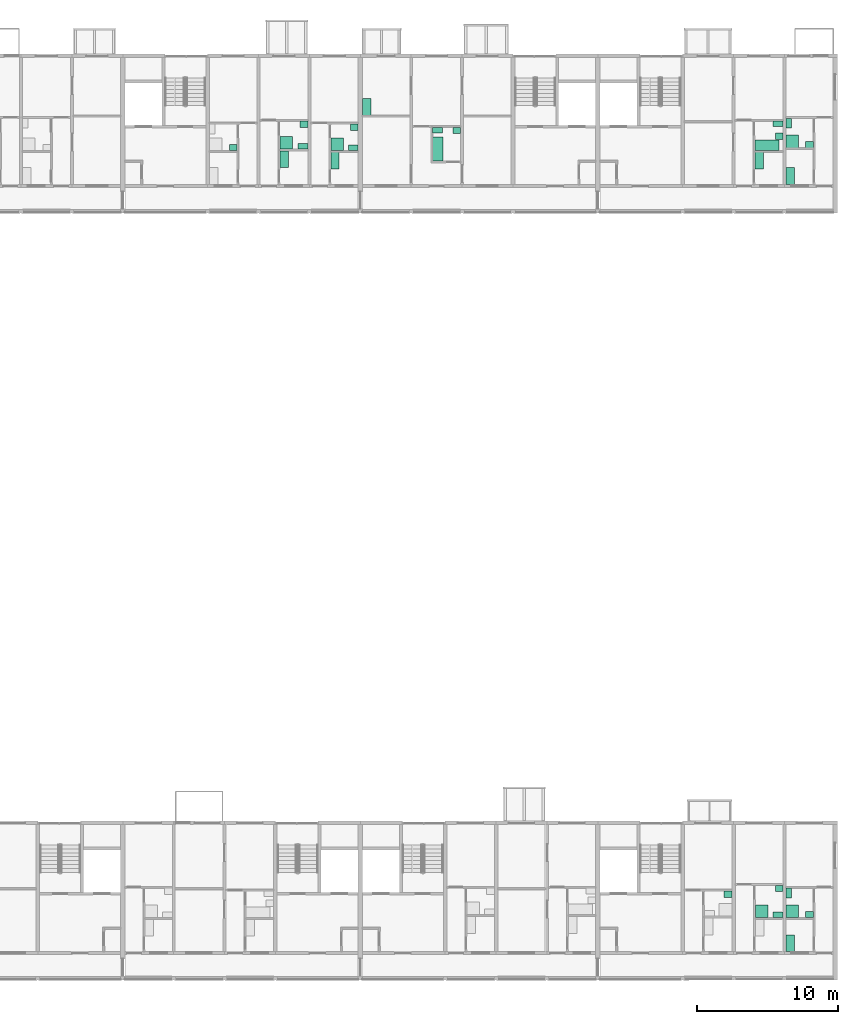
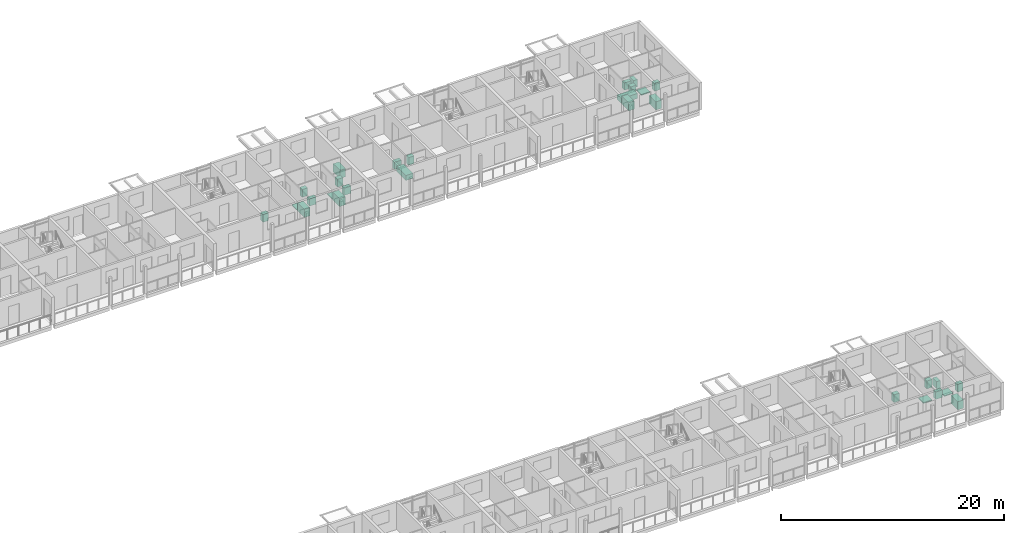
# One storey, part 99 of 99: 29 sanitary terminals.
"""IFC4 building model written with IfcOpenShell, lengths in metres."""

from ifc_helpers import new_model, si_unit, direction, frame, origin, origin_2d, place, context, subcontext, project, spatial, rectangle, extrude, element, save


model = new_model("IFC4")

# Units and contexts
model_context = context("Model", 3, precision=1e-05, world=origin(), true_north=direction((0.0, 1.0)))
body_context = subcontext(model_context, "Body", "Model", "MODEL_VIEW")
ifc_project = project(units=[si_unit("LENGTHUNIT", "METRE"), si_unit("AREAUNIT", "SQUARE_METRE"), si_unit("VOLUMEUNIT", "CUBIC_METRE"), si_unit("PLANEANGLEUNIT", "RADIAN"), si_unit("MASSUNIT", "GRAM", prefix="KILO")], contexts=[model_context])

# Site, building, storey
site_placement = place(None, origin())
site = spatial("IfcSite", under=ifc_project, at=site_placement, CompositionType="ELEMENT")
building_placement = place(site_placement, origin())
building = spatial("IfcBuilding", under=site, at=building_placement, Name="Ridgestep Commons", CompositionType="ELEMENT")
storey_placement = place(building_placement, frame((0.0, 0.0, 15.0)))
storey = spatial("IfcBuildingStorey", under=building, at=storey_placement, Name="L05", CompositionType="ELEMENT", Elevation=15.0)

# Sanitary terminals
sanitary_terminal_1_placement = place(storey_placement, frame((212.360107421875, 70.860107421875, 0.0), z_axis=(0.0, 0.0, 1.0), x_axis=(1.0, 0.0, 0.0)))
element("IfcSanitaryTerminal", 1, at=sanitary_terminal_1_placement, inside=storey, Name="Shower tray C4-05a", PredefinedType="SHOWER", context=body_context, shape_type="SweptSolid", body=[
    extrude(rectangle(XDim=0.89990234375, YDim=0.89990234375, at=origin_2d()), origin(), (0.0, 0.0, 1.0), 0.10009765625),
])
sanitary_terminal_2_placement = place(storey_placement, frame((213.5, 70.610107421875, 0.0), z_axis=(0.0, 0.0, 1.0), x_axis=(1.0, 0.0, 0.0)))
element("IfcSanitaryTerminal", 2, at=sanitary_terminal_2_placement, inside=storey, Name="WC C4-05a", PredefinedType="TOILETPAN", context=body_context, shape_type="SweptSolid", body=[
    extrude(rectangle(XDim=0.699951171875, YDim=0.39990234375, at=origin_2d()), origin(), (0.0, 0.0, 1.0), 0.800048828125),
])
sanitary_terminal_3_placement = place(storey_placement, frame((213.574951171875, 72.074951171875, 0.0), z_axis=(0.0, 0.0, 1.0), x_axis=(1.0, 0.0, 0.0)))
element("IfcSanitaryTerminal", 3, at=sanitary_terminal_3_placement, inside=storey, Name="Basin C4-05a", PredefinedType="WASHHANDBASIN", context=body_context, shape_type="SweptSolid", body=[
    extrude(rectangle(XDim=0.550048828125, YDim=0.449951171875, at=origin_2d()), origin(), (0.0, 0.0, 1.0), 0.85009765625),
])
sanitary_terminal_4_placement = place(storey_placement, frame((212.2099609375, 69.699951171875, 0.0), z_axis=(0.0, 0.0, 1.0), x_axis=(1.0, 0.0, 0.0)))
element("IfcSanitaryTerminal", 4, at=sanitary_terminal_4_placement, inside=storey, Name="Kitchen sink C4-05a", PredefinedType="SINK", context=body_context, shape_type="SweptSolid", body=[
    extrude(rectangle(XDim=0.60009765625, YDim=1.199951171875, at=origin_2d()), origin(), (0.0, 0.0, 1.0), 0.89990234375),
])
sanitary_terminal_5_placement = place(storey_placement, frame((208.760009765625, 70.9599609375, 0.0), z_axis=(0.0, 0.0, 1.0), x_axis=(1.0, 0.0, 0.0)))
element("IfcSanitaryTerminal", 5, at=sanitary_terminal_5_placement, inside=storey, Name="Shower tray C4-05b", PredefinedType="SHOWER", context=body_context, shape_type="SweptSolid", body=[
    extrude(rectangle(XDim=0.89990234375, YDim=0.89990234375, at=origin_2d()), origin(), (0.0, 0.0, 1.0), 0.10009765625),
])
sanitary_terminal_6_placement = place(storey_placement, frame((209.949951171875, 70.7099609375, 0.0), z_axis=(0.0, 0.0, 1.0), x_axis=(1.0, 0.0, 0.0)))
element("IfcSanitaryTerminal", 6, at=sanitary_terminal_6_placement, inside=storey, Name="WC C4-05b", PredefinedType="TOILETPAN", context=body_context, shape_type="SweptSolid", body=[
    extrude(rectangle(XDim=0.699951171875, YDim=0.39990234375, at=origin_2d()), origin(), (0.0, 0.0, 1.0), 0.800048828125),
])
sanitary_terminal_7_placement = place(storey_placement, frame((210.02490234375, 72.27490234375, 0.0), z_axis=(0.0, 0.0, 1.0), x_axis=(1.0, 0.0, 0.0)))
element("IfcSanitaryTerminal", 7, at=sanitary_terminal_7_placement, inside=storey, Name="Basin C4-05b", PredefinedType="WASHHANDBASIN", context=body_context, shape_type="SweptSolid", body=[
    extrude(rectangle(XDim=0.550048828125, YDim=0.449951171875, at=origin_2d()), origin(), (0.0, 0.0, 1.0), 0.85009765625),
])
sanitary_terminal_8_placement = place(storey_placement, frame((208.610107421875, 69.800048828125, 0.0), z_axis=(0.0, 0.0, 1.0), x_axis=(1.0, 0.0, 0.0)))
element("IfcSanitaryTerminal", 8, at=sanitary_terminal_8_placement, inside=storey, Name="Kitchen sink C4-05b", PredefinedType="SINK", context=body_context, shape_type="SweptSolid", body=[
    extrude(rectangle(XDim=0.60009765625, YDim=1.199951171875, at=origin_2d()), origin(), (0.0, 0.0, 1.0), 0.89990234375),
])
sanitary_terminal_9_placement = place(storey_placement, frame((205.014892578125, 70.635009765625, 0.0), z_axis=(0.0, 0.0, 1.0), x_axis=(1.0, 0.0, 0.0)))
element("IfcSanitaryTerminal", 9, at=sanitary_terminal_9_placement, inside=storey, Name="Basin C4-05c", PredefinedType="WASHHANDBASIN", context=body_context, shape_type="SweptSolid", body=[
    extrude(rectangle(XDim=0.550048828125, YDim=0.449951171875, at=origin_2d()), origin(), (0.0, 0.0, 1.0), 0.85009765625),
])
sanitary_terminal_10_placement = place(storey_placement, frame((219.485107421875, 70.510009765625, 0.0), z_axis=(0.0, 0.0, 1.0), x_axis=(1.0, 0.0, 0.0)))
element("IfcSanitaryTerminal", 10, at=sanitary_terminal_10_placement, inside=storey, Name="Bath C5-05a", PredefinedType="BATH", context=body_context, shape_type="SweptSolid", body=[
    extrude(rectangle(XDim=0.75, YDim=1.699951171875, at=origin_2d()), origin(), (0.0, 0.0, 1.0), 0.550048828125),
])
sanitary_terminal_11_placement = place(storey_placement, frame((219.4599609375, 71.860107421875, 0.0), z_axis=(0.0, 0.0, 1.0), x_axis=(1.0, 0.0, 0.0)))
element("IfcSanitaryTerminal", 11, at=sanitary_terminal_11_placement, inside=storey, Name="WC C5-05a", PredefinedType="TOILETPAN", context=body_context, shape_type="SweptSolid", body=[
    extrude(rectangle(XDim=0.699951171875, YDim=0.39990234375, at=origin_2d()), origin(), (0.0, 0.0, 1.0), 0.800048828125),
])
sanitary_terminal_12_placement = place(storey_placement, frame((220.824951171875, 71.8349609375, 0.0), z_axis=(0.0, 0.0, 1.0), x_axis=(1.0, 0.0, 0.0)))
element("IfcSanitaryTerminal", 12, at=sanitary_terminal_12_placement, inside=storey, Name="Basin C5-05a", PredefinedType="WASHHANDBASIN", context=body_context, shape_type="SweptSolid", body=[
    extrude(rectangle(XDim=0.550048828125, YDim=0.449951171875, at=origin_2d()), origin(), (0.0, 0.0, 1.0), 0.85009765625),
])
sanitary_terminal_13_placement = place(storey_placement, frame((214.449951171875, 73.510009765625, 0.0), z_axis=(0.0, 0.0, 1.0), x_axis=(1.0, 0.0, 0.0)))
element("IfcSanitaryTerminal", 13, at=sanitary_terminal_13_placement, inside=storey, Name="Kitchen sink C5-05a", PredefinedType="SINK", context=body_context, shape_type="SweptSolid", body=[
    extrude(rectangle(XDim=0.60009765625, YDim=1.199951171875, at=origin_2d()), origin(), (0.0, 0.0, 1.0), 0.89990234375),
])
sanitary_terminal_14_placement = place(storey_placement, frame((244.550048828125, 71.06005859375, 0.0), z_axis=(0.0, 0.0, 1.0), x_axis=(1.0, 0.0, 0.0)))
element("IfcSanitaryTerminal", 14, at=sanitary_terminal_14_placement, inside=storey, Name="Shower tray C6-05a", PredefinedType="SHOWER", context=body_context, shape_type="SweptSolid", body=[
    extrude(rectangle(XDim=0.89990234375, YDim=0.89990234375, at=origin_2d()), origin(), (0.0, 0.0, 1.0), 0.10009765625),
])
sanitary_terminal_15_placement = place(storey_placement, frame((244.300048828125, 72.35009765625, 0.0), z_axis=(0.0, 0.0, 1.0), x_axis=(1.0, 0.0, 0.0)))
element("IfcSanitaryTerminal", 15, at=sanitary_terminal_15_placement, inside=storey, Name="WC C6-05a", PredefinedType="TOILETPAN", context=body_context, shape_type="SweptSolid", body=[
    extrude(rectangle(XDim=0.39990234375, YDim=0.699951171875, at=origin_2d()), origin(), (0.0, 0.0, 1.0), 0.800048828125),
])
sanitary_terminal_16_placement = place(storey_placement, frame((245.764892578125, 70.8349609375, 0.0), z_axis=(0.0, 0.0, 1.0), x_axis=(1.0, 0.0, 0.0)))
element("IfcSanitaryTerminal", 16, at=sanitary_terminal_16_placement, inside=storey, Name="Basin C6-05a", PredefinedType="WASHHANDBASIN", context=body_context, shape_type="SweptSolid", body=[
    extrude(rectangle(XDim=0.550048828125, YDim=0.449951171875, at=origin_2d()), origin(), (0.0, 0.0, 1.0), 0.85009765625),
])
sanitary_terminal_17_placement = place(storey_placement, frame((244.39990234375, 68.60009765625, 0.0), z_axis=(0.0, 0.0, 1.0), x_axis=(1.0, 0.0, 0.0)))
element("IfcSanitaryTerminal", 17, at=sanitary_terminal_17_placement, inside=storey, Name="Kitchen sink C6-05a", PredefinedType="SINK", context=body_context, shape_type="SweptSolid", body=[
    extrude(rectangle(XDim=0.60009765625, YDim=1.199951171875, at=origin_2d()), origin(), (0.0, 0.0, 1.0), 0.89990234375),
])
sanitary_terminal_18_placement = place(storey_placement, frame((242.760009765625, 70.784912109375, 0.0), z_axis=(0.0, 0.0, 1.0), x_axis=(1.0, 0.0, 0.0)))
element("IfcSanitaryTerminal", 18, at=sanitary_terminal_18_placement, inside=storey, Name="Bath C6-05b", PredefinedType="BATH", context=body_context, shape_type="SweptSolid", body=[
    extrude(rectangle(XDim=1.699951171875, YDim=0.75, at=origin_2d()), origin(), (0.0, 0.0, 1.0), 0.550048828125),
])
sanitary_terminal_19_placement = place(storey_placement, frame((243.550048828125, 72.300048828125, 0.0), z_axis=(0.0, 0.0, 1.0), x_axis=(1.0, 0.0, 0.0)))
element("IfcSanitaryTerminal", 19, at=sanitary_terminal_19_placement, inside=storey, Name="WC C6-05b", PredefinedType="TOILETPAN", context=body_context, shape_type="SweptSolid", body=[
    extrude(rectangle(XDim=0.699951171875, YDim=0.39990234375, at=origin_2d()), origin(), (0.0, 0.0, 1.0), 0.800048828125),
])
sanitary_terminal_20_placement = place(storey_placement, frame((243.625, 71.43505859375, 0.0), z_axis=(0.0, 0.0, 1.0), x_axis=(1.0, 0.0, 0.0)))
element("IfcSanitaryTerminal", 20, at=sanitary_terminal_20_placement, inside=storey, Name="Basin C6-05b", PredefinedType="WASHHANDBASIN", context=body_context, shape_type="SweptSolid", body=[
    extrude(rectangle(XDim=0.550048828125, YDim=0.449951171875, at=origin_2d()), origin(), (0.0, 0.0, 1.0), 0.85009765625),
])
sanitary_terminal_21_placement = place(storey_placement, frame((242.2099609375, 69.699951171875, 0.0), z_axis=(0.0, 0.0, 1.0), x_axis=(1.0, 0.0, 0.0)))
element("IfcSanitaryTerminal", 21, at=sanitary_terminal_21_placement, inside=storey, Name="Kitchen sink C6-05b", PredefinedType="SINK", context=body_context, shape_type="SweptSolid", body=[
    extrude(rectangle(XDim=0.60009765625, YDim=1.199951171875, at=origin_2d()), origin(), (0.0, 0.0, 1.0), 0.89990234375),
])
sanitary_terminal_22_placement = place(storey_placement, frame((244.550048828125, 16.610107421875, 0.0), z_axis=(0.0, 0.0, 1.0), x_axis=(1.0, 0.0, 0.0)))
element("IfcSanitaryTerminal", 22, at=sanitary_terminal_22_placement, inside=storey, Name="Shower tray D6-05a", PredefinedType="SHOWER", context=body_context, shape_type="SweptSolid", body=[
    extrude(rectangle(XDim=0.89990234375, YDim=0.89990234375, at=origin_2d()), origin(), (0.0, 0.0, 1.0), 0.10009765625),
])
sanitary_terminal_23_placement = place(storey_placement, frame((244.300048828125, 17.89990234375, 0.0), z_axis=(0.0, 0.0, 1.0), x_axis=(1.0, 0.0, 0.0)))
element("IfcSanitaryTerminal", 23, at=sanitary_terminal_23_placement, inside=storey, Name="WC D6-05a", PredefinedType="TOILETPAN", context=body_context, shape_type="SweptSolid", body=[
    extrude(rectangle(XDim=0.39990234375, YDim=0.699951171875, at=origin_2d()), origin(), (0.0, 0.0, 1.0), 0.800048828125),
])
sanitary_terminal_24_placement = place(storey_placement, frame((245.764892578125, 16.385009765625, 0.0), z_axis=(0.0, 0.0, 1.0), x_axis=(1.0, 0.0, 0.0)))
element("IfcSanitaryTerminal", 24, at=sanitary_terminal_24_placement, inside=storey, Name="Basin D6-05a", PredefinedType="WASHHANDBASIN", context=body_context, shape_type="SweptSolid", body=[
    extrude(rectangle(XDim=0.550048828125, YDim=0.449951171875, at=origin_2d()), origin(), (0.0, 0.0, 1.0), 0.85009765625),
])
sanitary_terminal_25_placement = place(storey_placement, frame((244.39990234375, 14.35009765625, 0.0), z_axis=(0.0, 0.0, 1.0), x_axis=(1.0, 0.0, 0.0)))
element("IfcSanitaryTerminal", 25, at=sanitary_terminal_25_placement, inside=storey, Name="Kitchen sink D6-05a", PredefinedType="SINK", context=body_context, shape_type="SweptSolid", body=[
    extrude(rectangle(XDim=0.60009765625, YDim=1.199951171875, at=origin_2d()), origin(), (0.0, 0.0, 1.0), 0.89990234375),
])
sanitary_terminal_26_placement = place(storey_placement, frame((242.385009765625, 16.610107421875, 0.0), z_axis=(0.0, 0.0, 1.0), x_axis=(1.0, 0.0, 0.0)))
element("IfcSanitaryTerminal", 26, at=sanitary_terminal_26_placement, inside=storey, Name="Shower tray D6-05b", PredefinedType="SHOWER", context=body_context, shape_type="SweptSolid", body=[
    extrude(rectangle(XDim=0.89990234375, YDim=0.89990234375, at=origin_2d()), origin(), (0.0, 0.0, 1.0), 0.10009765625),
])
sanitary_terminal_27_placement = place(storey_placement, frame((243.550048828125, 16.360107421875, 0.0), z_axis=(0.0, 0.0, 1.0), x_axis=(1.0, 0.0, 0.0)))
element("IfcSanitaryTerminal", 27, at=sanitary_terminal_27_placement, inside=storey, Name="WC D6-05b", PredefinedType="TOILETPAN", context=body_context, shape_type="SweptSolid", body=[
    extrude(rectangle(XDim=0.699951171875, YDim=0.39990234375, at=origin_2d()), origin(), (0.0, 0.0, 1.0), 0.800048828125),
])
for number, where, z_axis, x_axis, name in (
    (28, (243.625, 18.22509765625, 0.0), (0.0, 0.0, 1.0), (1.0, 0.0, 0.0), "Basin D6-05b"),
    (29, (240.0, 17.824951171875, 0.0), (0.0, 0.0, 1.0), (1.0, 0.0, 0.0), "Basin D6-05c"),
):
    element("IfcSanitaryTerminal", number, at=place(storey_placement, frame(where, z_axis=z_axis, x_axis=x_axis)), inside=storey, Name=name, PredefinedType="WASHHANDBASIN", context=body_context, shape_type="SweptSolid", body=[
        extrude(rectangle(XDim=0.550048828125, YDim=0.449951171875, at=origin_2d()), origin(), (0.0, 0.0, 1.0), 0.85009765625),
    ])

save(model, "model.ifc")
